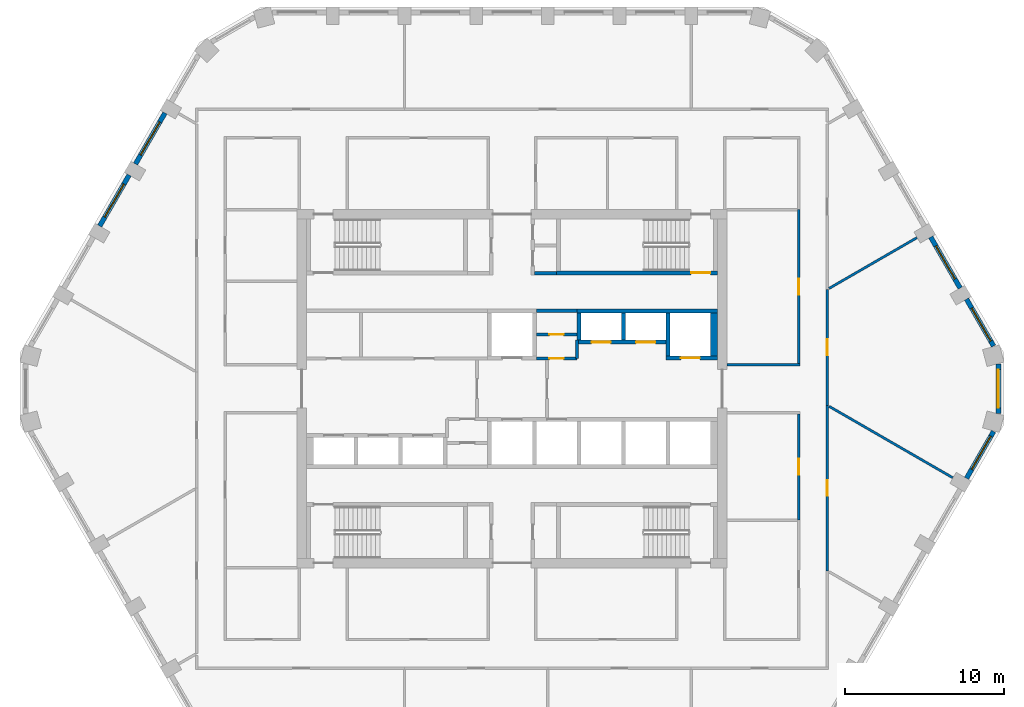
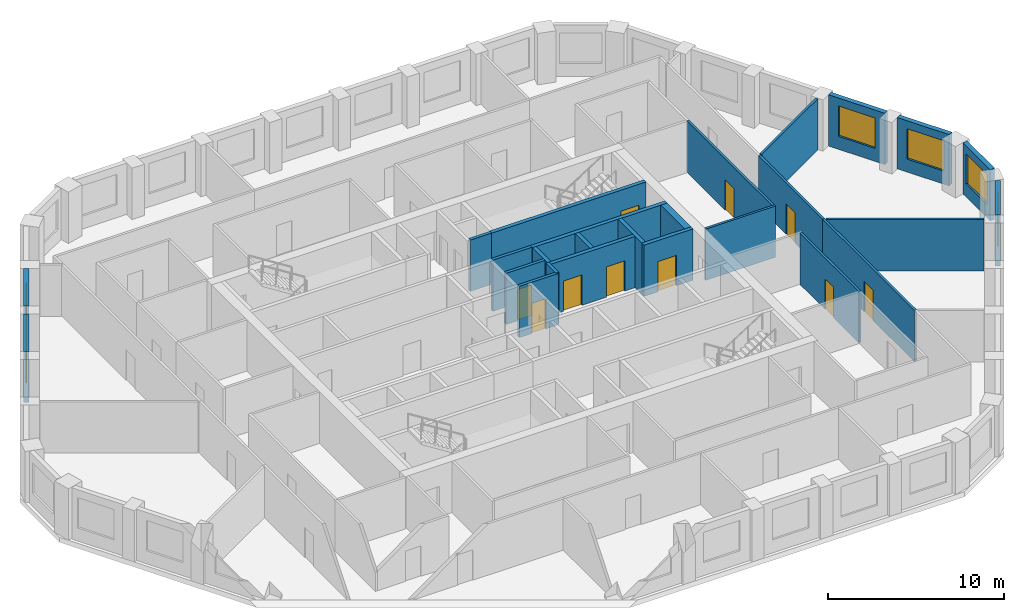
# One storey, part 5 of 9: 26 walls, 10 doors, 6 windows, 16 openings.
"""IFC4 building model written with IfcOpenShell, lengths in metres."""

from ifc_helpers import new_model, si_unit, direction, frame, frame_2d, origin, place, context, subcontext, project, spatial, polyline, rectangle, outline, extrude, material, layer, layer_set, type_object, element, fill, save


model = new_model("IFC4")

# Units and contexts
model_context = context("Model", 3, precision=1e-05, world=origin(), true_north=direction((0.0, 1.0)))
body_context = subcontext(model_context, "Body", "Model", "MODEL_VIEW")
ifc_project = project(units=[si_unit("LENGTHUNIT", "METRE"), si_unit("AREAUNIT", "SQUARE_METRE"), si_unit("VOLUMEUNIT", "CUBIC_METRE"), si_unit("PLANEANGLEUNIT", "RADIAN"), si_unit("MASSUNIT", "GRAM", prefix="KILO")], contexts=[model_context])

# Site, building, storey
site_placement = place(None, origin())
site = spatial("IfcSite", under=ifc_project, at=site_placement, CompositionType="ELEMENT")
building_placement = place(site_placement, origin())
building = spatial("IfcBuilding", under=site, at=building_placement, Name="Dhurran Vertical Campus", CompositionType="ELEMENT")
storey_placement = place(building_placement, frame((0.0, 0.0, 195.60009765625)))
storey = spatial("IfcBuildingStorey", under=building, at=storey_placement, Name="L48", CompositionType="ELEMENT", Elevation=195.60009765625)

# Wall, opening, window
ifc_material_1 = material(Name="Precast concrete C50/60", Category="concrete")
ifc_layer_1 = layer(ifc_material_1, 0.300048828125)
ifc_layer_set_1 = layer_set([ifc_layer_1], Name="Precast concrete C50/60")
wall_type_1 = type_object("IfcWallType", Name="Precast spandrel wall 300", PredefinedType="SOLIDWALL", material=ifc_layer_set_1)
wall_1_placement = place(storey_placement, frame((28.544189453125, -5.625244140625, 0.0), z_axis=(0.0, 0.0, 1.0), x_axis=(0.500012868213, 0.866017974191, 0.0)))
wall_1 = element("IfcWall", 1, at=wall_1_placement, inside=storey, type_object=wall_type_1, Name="EW1 L48.12", PredefinedType="SOLIDWALL", context=body_context, shape_type="SweptSolid", body=[
    extrude(rectangle(XDim=3.39599609375, YDim=0.300048828125, at=frame_2d((1.697998046875, 0.0))), origin(), (0.0, 0.0, 1.0), 3.5498046875),
])
opening_1_placement = place(wall_1_placement, frame((0.6494140625, 0.0, 0.89990234375)))
opening_1 = element("IfcOpeningElement", 2, at=opening_1_placement, cuts=wall_1, Name="Opening WT1", PredefinedType="OPENING", context=body_context, shape_type="SweptSolid", body=[
    extrude(rectangle(XDim=2.39990234375, YDim=2.10009765625, at=frame_2d((1.199951171875, 1.050048828125))), frame((0.0, 0.159912109375, 0.0), z_axis=(0.0, -1.0, 0.0), x_axis=(1.0, 0.0, 0.0)), (0.0, 0.0, 1.0), 0.320068359375),
])
ifc_material_2 = material(Name="Aluminium frame with solar-control glass", Category="aluminium")
window_type = type_object("IfcWindowType", Name="Punched window 2400 x 2100", PartitioningType="SINGLE_PANEL", PredefinedType="WINDOW", material=ifc_material_2)
window_1_placement = place(opening_1_placement, origin())
window_1 = element("IfcWindow", 3, at=window_1_placement, inside=storey, type_object=window_type, Name="WT1 L48.12", OverallHeight=2.10009765625, OverallWidth=2.39990234375, PartitioningType="SINGLE_PANEL", PredefinedType="WINDOW", context=body_context, shape_type="SweptSolid", body=[
    extrude(rectangle(XDim=2.39990234375, YDim=2.10009765625, at=frame_2d((1.199951171875, 1.050048828125))), frame((0.0, 0.030029296875, 0.0), z_axis=(0.0, -1.0, 0.0), x_axis=(1.0, 0.0, 0.0)), (0.0, 0.0, 1.0), 0.06005859375),
])
fill(opening_1, window_1)

wall_2_placement = place(storey_placement, frame((30.547119140625, -1.54638671875, 0.0), z_axis=(0.0, 0.0, 1.0), x_axis=(0.0, 1.0, 0.0)))
wall_2 = element("IfcWall", 4, at=wall_2_placement, inside=storey, type_object=wall_type_1, Name="EW1 L48.13", PredefinedType="SOLIDWALL", context=body_context, shape_type="SweptSolid", body=[
    extrude(rectangle(XDim=3.0927734375, YDim=0.300048828125, at=frame_2d((1.54638671875, 0.0))), origin(), (0.0, 0.0, 1.0), 3.5498046875),
])
opening_2_placement = place(wall_2_placement, frame((0.34619140625, 0.0, 0.89990234375)))
opening_2 = element("IfcOpeningElement", 5, at=opening_2_placement, cuts=wall_2, Name="Opening WT1", PredefinedType="OPENING", context=body_context, shape_type="SweptSolid", body=[
    extrude(rectangle(XDim=2.39990234375, YDim=2.10009765625, at=frame_2d((1.199951171875, 1.050048828125))), frame((0.0, 0.159912109375, 0.0), z_axis=(0.0, -1.0, 0.0), x_axis=(1.0, 0.0, 0.0)), (0.0, 0.0, 1.0), 0.320068359375),
])
window_2_placement = place(opening_2_placement, origin())
window_2 = element("IfcWindow", 6, at=window_2_placement, inside=storey, type_object=window_type, Name="WT1 L48.13", OverallHeight=2.10009765625, OverallWidth=2.39990234375, PartitioningType="SINGLE_PANEL", PredefinedType="WINDOW", context=body_context, shape_type="SweptSolid", body=[
    extrude(rectangle(XDim=2.39990234375, YDim=2.10009765625, at=frame_2d((1.199951171875, 1.050048828125))), frame((0.0, 0.030029296875, 0.0), z_axis=(0.0, -1.0, 0.0), x_axis=(1.0, 0.0, 0.0)), (0.0, 0.0, 1.0), 0.06005859375),
])
fill(opening_2, window_2)

wall_3_placement = place(storey_placement, frame((30.2421875, 2.684326171875, 0.0), z_axis=(0.0, 0.0, 1.0), x_axis=(-0.500012868213, 0.866017974191, 0.0)))
wall_3 = element("IfcWall", 7, at=wall_3_placement, inside=storey, type_object=wall_type_1, Name="EW1 L48.14", PredefinedType="SOLIDWALL", context=body_context, shape_type="SweptSolid", body=[
    extrude(rectangle(XDim=3.39599609375, YDim=0.300048828125, at=frame_2d((1.697998046875, 0.0))), origin(), (0.0, 0.0, 1.0), 3.5498046875),
])
opening_3_placement = place(wall_3_placement, frame((0.346435546875, 0.0, 0.89990234375)))
opening_3 = element("IfcOpeningElement", 8, at=opening_3_placement, cuts=wall_3, Name="Opening WT1", PredefinedType="OPENING", context=body_context, shape_type="SweptSolid", body=[
    extrude(rectangle(XDim=2.39990234375, YDim=2.10009765625, at=frame_2d((1.199951171875, 1.050048828125))), frame((0.0, 0.159912109375, 0.0), z_axis=(0.0, -1.0, 0.0), x_axis=(1.0, 0.0, 0.0)), (0.0, 0.0, 1.0), 0.320068359375),
])
window_3_placement = place(opening_3_placement, origin())
window_3 = element("IfcWindow", 9, at=window_3_placement, inside=storey, type_object=window_type, Name="WT1 L48.14", OverallHeight=2.10009765625, OverallWidth=2.39990234375, PartitioningType="SINGLE_PANEL", PredefinedType="WINDOW", context=body_context, shape_type="SweptSolid", body=[
    extrude(rectangle(XDim=2.39990234375, YDim=2.10009765625, at=frame_2d((1.199951171875, 1.050048828125))), frame((0.0, 0.030029296875, 0.0), z_axis=(0.0, -1.0, 0.0), x_axis=(1.0, 0.0, 0.0)), (0.0, 0.0, 1.0), 0.06005859375),
])
fill(opening_3, window_3)

wall_4_placement = place(storey_placement, frame((28.143798828125, 6.319091796875, 0.0), z_axis=(0.0, 0.0, 1.0), x_axis=(-0.500029062817, 0.866008623709, 0.0)))
wall_4 = element("IfcWall", 10, at=wall_4_placement, inside=storey, type_object=wall_type_1, Name="EW1 L48.15", PredefinedType="SOLIDWALL", context=body_context, shape_type="SweptSolid", body=[
    extrude(rectangle(XDim=3.698974609375, YDim=0.300048828125, at=frame_2d((1.849609375, 0.0))), origin(), (0.0, 0.0, 1.0), 3.5498046875),
])
opening_4_placement = place(wall_4_placement, frame((0.6494140625, 0.0, 0.89990234375)))
opening_4 = element("IfcOpeningElement", 11, at=opening_4_placement, cuts=wall_4, Name="Opening WT1", PredefinedType="OPENING", context=body_context, shape_type="SweptSolid", body=[
    extrude(rectangle(XDim=2.39990234375, YDim=2.10009765625, at=frame_2d((1.199951171875, 1.050048828125))), frame((0.0, 0.159912109375, 0.0), z_axis=(0.0, -1.0, 0.0), x_axis=(1.0, 0.0, 0.0)), (0.0, 0.0, 1.0), 0.320068359375),
])
window_4_placement = place(opening_4_placement, origin())
window_4 = element("IfcWindow", 12, at=window_4_placement, inside=storey, type_object=window_type, Name="WT1 L48.15", OverallHeight=2.10009765625, OverallWidth=2.39990234375, PartitioningType="SINGLE_PANEL", PredefinedType="WINDOW", context=body_context, shape_type="SweptSolid", body=[
    extrude(rectangle(XDim=2.39990234375, YDim=2.10009765625, at=frame_2d((1.199951171875, 1.050048828125))), frame((0.0, 0.030029296875, 0.0), z_axis=(0.0, -1.0, 0.0), x_axis=(1.0, 0.0, 0.0)), (0.0, 0.0, 1.0), 0.06005859375),
])
fill(opening_4, window_4)

wall_5_placement = place(storey_placement, frame((-21.794189453125, 17.316650390625, 0.0), z_axis=(0.0, 0.0, 1.0), x_axis=(-0.500029062817, -0.866008623709, 0.0)))
wall_5 = element("IfcWall", 13, at=wall_5_placement, inside=storey, type_object=wall_type_1, Name="EW1 L48.29", PredefinedType="SOLIDWALL", context=body_context, shape_type="SweptSolid", body=[
    extrude(rectangle(XDim=3.698974609375, YDim=0.300048828125, at=frame_2d((1.849609375, 0.0))), origin(), (0.0, 0.0, 1.0), 3.5498046875),
])
opening_5_placement = place(wall_5_placement, frame((0.6494140625, 0.0, 0.89990234375)))
opening_5 = element("IfcOpeningElement", 14, at=opening_5_placement, cuts=wall_5, Name="Opening WT1", PredefinedType="OPENING", context=body_context, shape_type="SweptSolid", body=[
    extrude(rectangle(XDim=2.39990234375, YDim=2.10009765625, at=frame_2d((1.199951171875, 1.050048828125))), frame((0.0, 0.159912109375, 0.0), z_axis=(0.0, -1.0, 0.0), x_axis=(1.0, 0.0, 0.0)), (0.0, 0.0, 1.0), 0.320068359375),
])
window_5_placement = place(opening_5_placement, origin())
window_5 = element("IfcWindow", 15, at=window_5_placement, inside=storey, type_object=window_type, Name="WT1 L48.29", OverallHeight=2.10009765625, OverallWidth=2.39990234375, PartitioningType="SINGLE_PANEL", PredefinedType="WINDOW", context=body_context, shape_type="SweptSolid", body=[
    extrude(rectangle(XDim=2.39990234375, YDim=2.10009765625, at=frame_2d((1.199951171875, 1.050048828125))), frame((0.0, 0.030029296875, 0.0), z_axis=(0.0, -1.0, 0.0), x_axis=(1.0, 0.0, 0.0)), (0.0, 0.0, 1.0), 0.06005859375),
])
fill(opening_5, window_5)

wall_6_placement = place(storey_placement, frame((-24.044189453125, 13.41943359375, 0.0), z_axis=(0.0, 0.0, 1.0), x_axis=(-0.500029062817, -0.866008623709, 0.0)))
wall_6 = element("IfcWall", 16, at=wall_6_placement, inside=storey, type_object=wall_type_1, Name="EW1 L48.30", PredefinedType="SOLIDWALL", context=body_context, shape_type="SweptSolid", body=[
    extrude(rectangle(XDim=3.698974609375, YDim=0.300048828125, at=frame_2d((1.849609375, 0.0))), origin(), (0.0, 0.0, 1.0), 3.5498046875),
])
opening_6_placement = place(wall_6_placement, frame((0.6494140625, 0.0, 0.89990234375)))
opening_6 = element("IfcOpeningElement", 17, at=opening_6_placement, cuts=wall_6, Name="Opening WT1", PredefinedType="OPENING", context=body_context, shape_type="SweptSolid", body=[
    extrude(rectangle(XDim=2.39990234375, YDim=2.10009765625, at=frame_2d((1.199951171875, 1.050048828125))), frame((0.0, 0.159912109375, 0.0), z_axis=(0.0, -1.0, 0.0), x_axis=(1.0, 0.0, 0.0)), (0.0, 0.0, 1.0), 0.320068359375),
])
window_6_placement = place(opening_6_placement, origin())
window_6 = element("IfcWindow", 18, at=window_6_placement, inside=storey, type_object=window_type, Name="WT1 L48.30", OverallHeight=2.10009765625, OverallWidth=2.39990234375, PartitioningType="SINGLE_PANEL", PredefinedType="WINDOW", context=body_context, shape_type="SweptSolid", body=[
    extrude(rectangle(XDim=2.39990234375, YDim=2.10009765625, at=frame_2d((1.199951171875, 1.050048828125))), frame((0.0, 0.030029296875, 0.0), z_axis=(0.0, -1.0, 0.0), x_axis=(1.0, 0.0, 0.0)), (0.0, 0.0, 1.0), 0.06005859375),
])
fill(opening_6, window_6)

# Wall
ifc_material_3 = material(Name="Fire-rated masonry blockwork", Category="masonry")
ifc_layer_2 = layer(ifc_material_3, 0.199951171875)
ifc_layer_set_2 = layer_set([ifc_layer_2], Name="Fire-rated masonry blockwork")
wall_type_2 = type_object("IfcWallType", Name="co-FIRE-PARTITION-200", PredefinedType="PARTITIONING", material=ifc_layer_set_2)
wall_7_placement = place(storey_placement, frame((1.39990234375, 7.25, 0.0), z_axis=(0.0, 0.0, 1.0), x_axis=(1.0, 0.0, 0.0)))
element("IfcWall", 19, at=wall_7_placement, inside=storey, type_object=wall_type_2, Name="Core partition sl-NE-S L48", PredefinedType="PARTITIONING", context=body_context, shape_type="SweptSolid", body=[
    extrude(rectangle(XDim=1.400146484375, YDim=0.199951171875, at=frame_2d((0.7001953125, 0.0))), origin(), (0.0, 0.0, 1.0), 3.5498046875),
])

# Wall, opening, door
wall_8_placement = place(storey_placement, frame((1.52490234375, 3.39990234375, 0.0), z_axis=(0.0, 0.0, 1.0), x_axis=(1.0, 0.0, 0.0)))
wall_8 = element("IfcWall", 20, at=wall_8_placement, inside=storey, type_object=wall_type_2, Name="Core partition fr-N1-c L48", PredefinedType="PARTITIONING", context=body_context, shape_type="SweptSolid", body=[
    extrude(rectangle(XDim=2.550048828125, YDim=0.199951171875, at=frame_2d((1.27490234375, 0.0))), origin(), (0.0, 0.0, 1.0), 3.5498046875),
])
opening_7_placement = place(wall_8_placement, frame((0.824951171875, 0.0, 0.0)))
opening_7 = element("IfcOpeningElement", 21, at=opening_7_placement, cuts=wall_8, Name="Opening T14-C8", PredefinedType="OPENING", context=body_context, shape_type="SweptSolid", body=[
    extrude(rectangle(XDim=0.89990234375, YDim=2.10009765625, at=frame_2d((0.449951171875, 1.050048828125))), frame((0.0, 0.10986328125, 0.0), z_axis=(0.0, -1.0, 0.0), x_axis=(1.0, 0.0, 0.0)), (0.0, 0.0, 1.0), 0.219970703125),
])
ifc_material_4 = material(Name="Fire-rated timber door set", Category="wood")
door_type_1 = type_object("IfcDoorType", Name="co-D-ROOM 900x2100", OperationType="SINGLE_SWING_LEFT", PredefinedType="DOOR", material=ifc_material_4)
door_1_placement = place(opening_7_placement, origin())
door_1 = element("IfcDoor", 22, at=door_1_placement, inside=storey, type_object=door_type_1, Name="Communications room door L48", OperationType="SINGLE_SWING_LEFT", OverallHeight=2.10009765625, OverallWidth=0.89990234375, PredefinedType="DOOR", context=body_context, shape_type="SweptSolid", body=[
    extrude(rectangle(XDim=0.89990234375, YDim=2.10009765625, at=frame_2d((0.449951171875, 1.050048828125))), frame((0.0, 0.02490234375, 0.0), z_axis=(0.0, -1.0, 0.0), x_axis=(1.0, 0.0, 0.0)), (0.0, 0.0, 1.0), 0.050048828125),
])
fill(opening_7, door_1)

wall_9_placement = place(storey_placement, frame((1.52490234375, 1.89990234375, 0.0), z_axis=(0.0, 0.0, 1.0), x_axis=(1.0, 0.0, 0.0)))
wall_9 = element("IfcWall", 23, at=wall_9_placement, inside=storey, type_object=wall_type_2, Name="Core partition fr-N1-f L48", PredefinedType="PARTITIONING", context=body_context, shape_type="SweptSolid", body=[
    extrude(rectangle(XDim=2.550048828125, YDim=0.199951171875, at=frame_2d((1.27490234375, 0.0))), origin(), (0.0, 0.0, 1.0), 3.5498046875),
])
opening_8_placement = place(wall_9_placement, frame((0.824951171875, 0.0, 0.0)))
opening_8 = element("IfcOpeningElement", 24, at=opening_8_placement, cuts=wall_9, Name="Opening T14-C9", PredefinedType="OPENING", context=body_context, shape_type="SweptSolid", body=[
    extrude(rectangle(XDim=0.89990234375, YDim=2.10009765625, at=frame_2d((0.449951171875, 1.050048828125))), frame((0.0, 0.10986328125, 0.0), z_axis=(0.0, -1.0, 0.0), x_axis=(1.0, 0.0, 0.0)), (0.0, 0.0, 1.0), 0.219970703125),
])
door_2_placement = place(opening_8_placement, origin())
door_2 = element("IfcDoor", 25, at=door_2_placement, inside=storey, type_object=door_type_1, Name="Server room door L48", OperationType="SINGLE_SWING_LEFT", OverallHeight=2.10009765625, OverallWidth=0.89990234375, PredefinedType="DOOR", context=body_context, shape_type="SweptSolid", body=[
    extrude(rectangle(XDim=0.89990234375, YDim=2.10009765625, at=frame_2d((0.449951171875, 1.050048828125))), frame((0.0, 0.02490234375, 0.0), z_axis=(0.0, -1.0, 0.0), x_axis=(1.0, 0.0, 0.0)), (0.0, 0.0, 1.0), 0.050048828125),
])
fill(opening_8, door_2)

# Walls
wall_10_placement = place(storey_placement, frame((1.52490234375, 4.89990234375, 0.0), z_axis=(0.0, 0.0, 1.0), x_axis=(1.0, 0.0, 0.0)))
element("IfcWall", 26, at=wall_10_placement, inside=storey, type_object=wall_type_2, Name="Core partition fr-N1-b L48", PredefinedType="PARTITIONING", context=body_context, shape_type="SweptSolid", body=[
    extrude(rectangle(XDim=2.550048828125, YDim=0.199951171875, at=frame_2d((1.27490234375, 0.0))), origin(), (0.0, 0.0, 1.0), 3.5498046875),
])
wall_11_placement = place(storey_placement, frame((4.074951171875, 1.89990234375, 0.0), z_axis=(0.0, 0.0, 1.0), x_axis=(0.0, 1.0, 0.0)))
element("IfcWall", 27, at=wall_11_placement, inside=storey, type_object=wall_type_2, Name="Core partition fr-N1-n1 L48", PredefinedType="PARTITIONING", context=body_context, shape_type="SweptSolid", body=[
    extrude(rectangle(XDim=1.150146484375, YDim=0.199951171875, at=frame_2d((0.5751953125, 0.0))), origin(), (0.0, 0.0, 1.0), 3.5498046875),
])

# Wall, openings, doors
ifc_material_5 = material(Name="Concrete C50/60", Category="concrete")
ifc_layer_3 = layer(ifc_material_5, 0.25)
ifc_layer_set_3 = layer_set([ifc_layer_3], Name="Concrete C50/60")
wall_type_3 = type_object("IfcWallType", Name="co-SHAFT-FRONT-250", PredefinedType="SHEAR", material=ifc_layer_set_3)
wall_12_placement = place(storey_placement, frame((4.074951171875, 2.925048828125, 0.0), z_axis=(0.0, 0.0, 1.0), x_axis=(1.0, 0.0, 0.0)))
wall_12 = element("IfcWall", 28, at=wall_12_placement, inside=storey, type_object=wall_type_3, Name="Lift landing wall N L48", PredefinedType="SHEAR", context=body_context, shape_type="SweptSolid", body=[
    extrude(rectangle(XDim=5.85009765625, YDim=0.25, at=frame_2d((2.925048828125, 0.0))), origin(), (0.0, 0.0, 1.0), 3.5498046875),
])
opening_9_placement = place(wall_12_placement, frame((0.925048828125, 0.0, 0.0)))
opening_9 = element("IfcOpeningElement", 29, at=opening_9_placement, cuts=wall_12, Name="Opening LD", PredefinedType="OPENING", context=body_context, shape_type="SweptSolid", body=[
    extrude(rectangle(XDim=1.199951171875, YDim=2.10009765625, at=frame_2d((0.60009765625, 1.050048828125))), frame((0.0, 0.135009765625, 0.0), z_axis=(0.0, -1.0, 0.0), x_axis=(1.0, 0.0, 0.0)), (0.0, 0.0, 1.0), 0.27001953125),
])
opening_10_placement = place(wall_12_placement, frame((3.72509765625, 0.0, 0.0)))
opening_10 = element("IfcOpeningElement", 30, at=opening_10_placement, cuts=wall_12, Name="Opening LD", PredefinedType="OPENING", context=body_context, shape_type="SweptSolid", body=[
    extrude(rectangle(XDim=1.199951171875, YDim=2.10009765625, at=frame_2d((0.60009765625, 1.050048828125))), frame((0.0, 0.135009765625, 0.0), z_axis=(0.0, -1.0, 0.0), x_axis=(1.0, 0.0, 0.0)), (0.0, 0.0, 1.0), 0.27001953125),
])
ifc_material_6 = material(Name="Stainless steel landing door", Category="steel")
door_type_2 = type_object("IfcDoorType", Name="co-D-LANDING 1200x2100", OperationType="DOUBLE_DOOR_SLIDING", PredefinedType="DOOR", material=ifc_material_6)
door_3_placement = place(opening_9_placement, origin())
door_3 = element("IfcDoor", 31, at=door_3_placement, inside=storey, type_object=door_type_2, Name="Landing door MR1 L48", OperationType="DOUBLE_DOOR_SLIDING", OverallHeight=2.10009765625, OverallWidth=1.199951171875, PredefinedType="DOOR", context=body_context, shape_type="SweptSolid", body=[
    extrude(rectangle(XDim=1.199951171875, YDim=2.10009765625, at=frame_2d((0.60009765625, 1.050048828125))), frame((0.0, 0.02490234375, 0.0), z_axis=(0.0, -1.0, 0.0), x_axis=(1.0, 0.0, 0.0)), (0.0, 0.0, 1.0), 0.050048828125),
])
fill(opening_9, door_3)
door_4_placement = place(opening_10_placement, origin())
door_4 = element("IfcDoor", 32, at=door_4_placement, inside=storey, type_object=door_type_2, Name="Landing door MR2 L48", OperationType="DOUBLE_DOOR_SLIDING", OverallHeight=2.10009765625, OverallWidth=1.199951171875, PredefinedType="DOOR", context=body_context, shape_type="SweptSolid", body=[
    extrude(rectangle(XDim=1.199951171875, YDim=2.10009765625, at=frame_2d((0.60009765625, 1.050048828125))), frame((0.0, 0.02490234375, 0.0), z_axis=(0.0, -1.0, 0.0), x_axis=(1.0, 0.0, 0.0)), (0.0, 0.0, 1.0), 0.050048828125),
])
fill(opening_10, door_4)

# Wall, opening, door
wall_13_placement = place(storey_placement, frame((9.675048828125, 1.925048828125, 0.0), z_axis=(0.0, 0.0, 1.0), x_axis=(1.0, 0.0, 0.0)))
wall_13 = element("IfcWall", 33, at=wall_13_placement, inside=storey, type_object=wall_type_3, Name="Lift landing wall N L48", PredefinedType="SHEAR", context=body_context, shape_type="SweptSolid", body=[
    extrude(rectangle(XDim=3.224853515625, YDim=0.25, at=frame_2d((1.6123046875, 0.0))), origin(), (0.0, 0.0, 1.0), 3.5498046875),
])
opening_11_placement = place(wall_13_placement, frame((0.925048828125, 0.0, 0.0)))
opening_11 = element("IfcOpeningElement", 34, at=opening_11_placement, cuts=wall_13, Name="Opening LD", PredefinedType="OPENING", context=body_context, shape_type="SweptSolid", body=[
    extrude(rectangle(XDim=1.199951171875, YDim=2.10009765625, at=frame_2d((0.60009765625, 1.050048828125))), frame((0.0, 0.135009765625, 0.0), z_axis=(0.0, -1.0, 0.0), x_axis=(1.0, 0.0, 0.0)), (0.0, 0.0, 1.0), 0.27001953125),
])
door_5_placement = place(opening_11_placement, origin())
door_5 = element("IfcDoor", 35, at=door_5_placement, inside=storey, type_object=door_type_2, Name="Landing door SV2 L48", OperationType="DOUBLE_DOOR_SLIDING", OverallHeight=2.10009765625, OverallWidth=1.199951171875, PredefinedType="DOOR", context=body_context, shape_type="SweptSolid", body=[
    extrude(rectangle(XDim=1.199951171875, YDim=2.10009765625, at=frame_2d((0.60009765625, 1.050048828125))), frame((0.0, 0.02490234375, 0.0), z_axis=(0.0, -1.0, 0.0), x_axis=(1.0, 0.0, 0.0)), (0.0, 0.0, 1.0), 0.050048828125),
])
fill(opening_11, door_5)

# Walls
ifc_material_7 = material(Name="Concrete C50/60", Category="concrete")
ifc_layer_4 = layer(ifc_material_7, 0.25)
ifc_layer_set_4 = layer_set([ifc_layer_4], Name="Concrete C50/60")
wall_type_4 = type_object("IfcWallType", Name="co-SHAFT-MASS-250", PredefinedType="SHEAR", material=ifc_layer_set_4)
wall_14_placement = place(storey_placement, origin())
element("IfcWall", 36, at=wall_14_placement, inside=storey, type_object=wall_type_4, Name="Lift shaft wall N L48 2", PredefinedType="SHEAR", context=body_context, shape_type="SweptSolid", body=[
    extrude(outline(polyline([(4.074951171875, 4.75), (12.89990234375, 4.75), (12.89990234375, 5.0), (4.074951171875, 5.0), (4.074951171875, 4.75)])), origin(), (0.0, 0.0, 1.0), 3.5498046875),
])
wall_15_placement = place(storey_placement, origin())
element("IfcWall", 37, at=wall_15_placement, inside=storey, type_object=wall_type_4, Name="Lift shaft wall N L48 5", PredefinedType="SHEAR", context=body_context, shape_type="SweptSolid", body=[
    extrude(outline(polyline([(9.675048828125, 2.050048828125), (9.925048828125, 2.050048828125), (9.925048828125, 4.75), (9.675048828125, 4.75), (9.675048828125, 2.050048828125)])), origin(), (0.0, 0.0, 1.0), 3.5498046875),
])
wall_16_placement = place(storey_placement, origin())
element("IfcWall", 38, at=wall_16_placement, inside=storey, type_object=wall_type_4, Name="Lift shaft wall N L48 6", PredefinedType="SHEAR", context=body_context, shape_type="SweptSolid", body=[
    extrude(outline(polyline([(12.47509765625, 2.050048828125), (12.89990234375, 2.050048828125), (12.89990234375, 4.75), (12.47509765625, 4.75), (12.47509765625, 2.050048828125)])), origin(), (0.0, 0.0, 1.0), 3.5498046875),
])
wall_17_placement = place(storey_placement, origin())
element("IfcWall", 39, at=wall_17_placement, inside=storey, type_object=wall_type_4, Name="Lift shaft wall N L48 7", PredefinedType="SHEAR", context=body_context, shape_type="SweptSolid", body=[
    extrude(outline(polyline([(4.074951171875, 3.050048828125), (4.324951171875, 3.050048828125), (4.324951171875, 4.75), (4.074951171875, 4.75), (4.074951171875, 3.050048828125)])), origin(), (0.0, 0.0, 1.0), 3.5498046875),
])
wall_18_placement = place(storey_placement, origin())
element("IfcWall", 40, at=wall_18_placement, inside=storey, type_object=wall_type_4, Name="Lift shaft wall N L48 8", PredefinedType="SHEAR", context=body_context, shape_type="SweptSolid", body=[
    extrude(outline(polyline([(6.875, 3.050048828125), (7.125, 3.050048828125), (7.125, 4.75), (6.875, 4.75), (6.875, 3.050048828125)])), origin(), (0.0, 0.0, 1.0), 3.5498046875),
])

# Wall, opening, door
ifc_material_8 = material(Name="Concrete C40/50", Category="concrete")
ifc_layer_5 = layer(ifc_material_8, 0.25)
ifc_layer_set_5 = layer_set([ifc_layer_5], Name="Concrete C40/50")
wall_type_5 = type_object("IfcWallType", Name="co-STAIR-WALL-250", PredefinedType="SHEAR", material=ifc_layer_set_5)
wall_19_placement = place(storey_placement, frame((2.800048828125, 7.27490234375, 0.0), z_axis=(0.0, 0.0, 1.0), x_axis=(1.0, 0.0, 0.0)))
wall_19 = element("IfcWall", 41, at=wall_19_placement, inside=storey, type_object=wall_type_5, Name="Stair ST2 enclosure wall L48", PredefinedType="SHEAR", context=body_context, shape_type="SweptSolid", body=[
    extrude(rectangle(XDim=10.099853515625, YDim=0.25, at=frame_2d((5.0498046875, 0.0))), origin(), (0.0, 0.0, 1.0), 3.5498046875),
])
opening_12_placement = place(wall_19_placement, frame((8.449951171875, 0.0, 0.0)))
opening_12 = element("IfcOpeningElement", 42, at=opening_12_placement, cuts=wall_19, Name="Opening SD2", PredefinedType="OPENING", context=body_context, shape_type="SweptSolid", body=[
    extrude(rectangle(XDim=1.199951171875, YDim=2.10009765625, at=frame_2d((0.60009765625, 1.050048828125))), frame((0.0, 0.135009765625, 0.0), z_axis=(0.0, -1.0, 0.0), x_axis=(1.0, 0.0, 0.0)), (0.0, 0.0, 1.0), 0.27001953125),
])
ifc_material_9 = material(Name="Fire-rated steel door set", Category="steel")
door_type_3 = type_object("IfcDoorType", Name="co-D-STAIR 1200x2100", OperationType="SINGLE_SWING_LEFT", PredefinedType="DOOR", material=ifc_material_9)
door_6_placement = place(opening_12_placement, origin())
door_6 = element("IfcDoor", 43, at=door_6_placement, inside=storey, type_object=door_type_3, Name="Stair ST2 door L48", OperationType="SINGLE_SWING_LEFT", OverallHeight=2.10009765625, OverallWidth=1.199951171875, PredefinedType="DOOR", context=body_context, shape_type="SweptSolid", body=[
    extrude(rectangle(XDim=1.199951171875, YDim=2.10009765625, at=frame_2d((0.60009765625, 1.050048828125))), frame((0.0, 0.02490234375, 0.0), z_axis=(0.0, -1.0, 0.0), x_axis=(1.0, 0.0, 0.0)), (0.0, 0.0, 1.0), 0.050048828125),
])
fill(opening_12, door_6)

# Wall
ifc_material_10 = material(Name="Gypsum board corridor wall on steel studs", Category="steel")
ifc_layer_6 = layer(ifc_material_10, 0.14990234375)
ifc_layer_set_6 = layer_set([ifc_layer_6], Name="Gypsum board corridor wall on steel studs")
wall_type_6 = type_object("IfcWallType", Name="fl-CW-150 corridor wall", PredefinedType="PARTITIONING", material=ifc_layer_set_6)
wall_20_placement = place(storey_placement, frame((18.074951171875, 1.5, 0.0), z_axis=(0.0, 0.0, 1.0), x_axis=(-1.0, 0.0, 0.0)))
element("IfcWall", 44, at=wall_20_placement, inside=storey, type_object=wall_type_6, Name="Partition 48-56", PredefinedType="PARTITIONING", context=body_context, shape_type="SweptSolid", body=[
    extrude(rectangle(XDim=4.574951171875, YDim=0.14990234375, at=frame_2d((2.28759765625, 0.0))), origin(), (0.0, 0.0, 1.0), 3.5498046875),
])

# Wall, opening, door
wall_21_placement = place(storey_placement, frame((18.0, -1.574951171875, 0.0), z_axis=(0.0, 0.0, 1.0), x_axis=(0.0, -1.0, 0.0)))
wall_21 = element("IfcWall", 45, at=wall_21_placement, inside=storey, type_object=wall_type_6, Name="Partition 48-59", PredefinedType="PARTITIONING", context=body_context, shape_type="SweptSolid", body=[
    extrude(rectangle(XDim=6.675048828125, YDim=0.14990234375, at=frame_2d((3.33740234375, 0.0))), origin(), (0.0, 0.0, 1.0), 3.5498046875),
])
opening_13_placement = place(wall_21_placement, frame((2.83740234375, 0.0, 0.0)))
opening_13 = element("IfcOpeningElement", 46, at=opening_13_placement, cuts=wall_21, Name="Opening T14.22", PredefinedType="OPENING", context=body_context, shape_type="SweptSolid", body=[
    extrude(rectangle(XDim=1.0, YDim=2.10009765625, at=frame_2d((0.5, 1.050048828125))), frame((0.0, 0.0849609375, 0.0), z_axis=(0.0, -1.0, 0.0), x_axis=(1.0, 0.0, 0.0)), (0.0, 0.0, 1.0), 0.169921875),
])
ifc_material_11 = material(Name="Solid-core timber door set, fire-rated", Category="wood")
door_type_4 = type_object("IfcDoorType", Name="fl-D-1000x2100", OperationType="SINGLE_SWING_LEFT", PredefinedType="DOOR", material=ifc_material_11)
door_7_placement = place(opening_13_placement, origin())
door_7 = element("IfcDoor", 47, at=door_7_placement, inside=storey, type_object=door_type_4, Name="Door 48.22", OperationType="SINGLE_SWING_RIGHT", OverallHeight=2.10009765625, OverallWidth=1.0, PredefinedType="DOOR", context=body_context, shape_type="SweptSolid", body=[
    extrude(rectangle(XDim=1.0, YDim=2.10009765625, at=frame_2d((0.5, 1.050048828125))), frame((0.0, 0.02490234375, 0.0), z_axis=(0.0, -1.0, 0.0), x_axis=(1.0, 0.0, 0.0)), (0.0, 0.0, 1.0), 0.050048828125),
])
fill(opening_13, door_7)

wall_22_placement = place(storey_placement, frame((18.0, 11.25, 0.0), z_axis=(0.0, 0.0, 1.0), x_axis=(0.0, -1.0, 0.0)))
wall_22 = element("IfcWall", 48, at=wall_22_placement, inside=storey, type_object=wall_type_6, Name="Partition 48-60", PredefinedType="PARTITIONING", context=body_context, shape_type="SweptSolid", body=[
    extrude(rectangle(XDim=9.675048828125, YDim=0.14990234375, at=frame_2d((4.83740234375, 0.0))), origin(), (0.0, 0.0, 1.0), 3.5498046875),
])
opening_14_placement = place(wall_22_placement, frame((4.33740234375, 0.0, 0.0)))
opening_14 = element("IfcOpeningElement", 49, at=opening_14_placement, cuts=wall_22, Name="Opening T14.23", PredefinedType="OPENING", context=body_context, shape_type="SweptSolid", body=[
    extrude(rectangle(XDim=1.0, YDim=2.10009765625, at=frame_2d((0.5, 1.050048828125))), frame((0.0, 0.0849609375, 0.0), z_axis=(0.0, -1.0, 0.0), x_axis=(1.0, 0.0, 0.0)), (0.0, 0.0, 1.0), 0.169921875),
])
door_8_placement = place(opening_14_placement, origin())
door_8 = element("IfcDoor", 50, at=door_8_placement, inside=storey, type_object=door_type_4, Name="Door 48.23", OperationType="SINGLE_SWING_LEFT", OverallHeight=2.10009765625, OverallWidth=1.0, PredefinedType="DOOR", context=body_context, shape_type="SweptSolid", body=[
    extrude(rectangle(XDim=1.0, YDim=2.10009765625, at=frame_2d((0.5, 1.050048828125))), frame((0.0, 0.02490234375, 0.0), z_axis=(0.0, -1.0, 0.0), x_axis=(1.0, 0.0, 0.0)), (0.0, 0.0, 1.0), 0.050048828125),
])
fill(opening_14, door_8)

wall_23_placement = place(storey_placement, frame((19.800048828125, -11.431884765625, 0.0), z_axis=(0.0, 0.0, 1.0), x_axis=(0.0, 1.0, 0.0)))
wall_23 = element("IfcWall", 51, at=wall_23_placement, inside=storey, type_object=wall_type_6, Name="Partition 48-63", PredefinedType="PARTITIONING", context=body_context, shape_type="SweptSolid", body=[
    extrude(rectangle(XDim=10.392822265625, YDim=0.14990234375, at=frame_2d((5.1962890625, 0.0))), origin(), (0.0, 0.0, 1.0), 3.5498046875),
])
opening_15_placement = place(wall_23_placement, frame((4.696533203125, 0.0, 0.0)))
opening_15 = element("IfcOpeningElement", 52, at=opening_15_placement, cuts=wall_23, Name="Opening T14.26", PredefinedType="OPENING", context=body_context, shape_type="SweptSolid", body=[
    extrude(rectangle(XDim=1.0, YDim=2.10009765625, at=frame_2d((0.5, 1.050048828125))), frame((0.0, 0.0849609375, 0.0), z_axis=(0.0, -1.0, 0.0), x_axis=(1.0, 0.0, 0.0)), (0.0, 0.0, 1.0), 0.169921875),
])
door_9_placement = place(opening_15_placement, origin())
door_9 = element("IfcDoor", 53, at=door_9_placement, inside=storey, type_object=door_type_4, Name="Door 48.26", OperationType="SINGLE_SWING_RIGHT", OverallHeight=2.10009765625, OverallWidth=1.0, PredefinedType="DOOR", context=body_context, shape_type="SweptSolid", body=[
    extrude(rectangle(XDim=1.0, YDim=2.10009765625, at=frame_2d((0.5, 1.050048828125))), frame((0.0, 0.02490234375, 0.0), z_axis=(0.0, -1.0, 0.0), x_axis=(1.0, 0.0, 0.0)), (0.0, 0.0, 1.0), 0.050048828125),
])
fill(opening_15, door_9)

wall_24_placement = place(storey_placement, frame((19.800048828125, -1.0390625, 0.0), z_axis=(0.0, 0.0, 1.0), x_axis=(0.0, 1.0, 0.0)))
wall_24 = element("IfcWall", 54, at=wall_24_placement, inside=storey, type_object=wall_type_6, Name="Partition 48-65", PredefinedType="PARTITIONING", context=body_context, shape_type="SweptSolid", body=[
    extrude(rectangle(XDim=7.274169921875, YDim=0.14990234375, at=frame_2d((3.63720703125, 0.0))), origin(), (0.0, 0.0, 1.0), 3.5498046875),
])
opening_16_placement = place(wall_24_placement, frame((3.136962890625, 0.0, 0.0)))
opening_16 = element("IfcOpeningElement", 55, at=opening_16_placement, cuts=wall_24, Name="Opening T14.27", PredefinedType="OPENING", context=body_context, shape_type="SweptSolid", body=[
    extrude(rectangle(XDim=1.0, YDim=2.10009765625, at=frame_2d((0.5, 1.050048828125))), frame((0.0, 0.0849609375, 0.0), z_axis=(0.0, -1.0, 0.0), x_axis=(1.0, 0.0, 0.0)), (0.0, 0.0, 1.0), 0.169921875),
])
door_10_placement = place(opening_16_placement, origin())
door_10 = element("IfcDoor", 56, at=door_10_placement, inside=storey, type_object=door_type_4, Name="Door 48.27", OperationType="SINGLE_SWING_RIGHT", OverallHeight=2.10009765625, OverallWidth=1.0, PredefinedType="DOOR", context=body_context, shape_type="SweptSolid", body=[
    extrude(rectangle(XDim=1.0, YDim=2.10009765625, at=frame_2d((0.5, 1.050048828125))), frame((0.0, 0.02490234375, 0.0), z_axis=(0.0, -1.0, 0.0), x_axis=(1.0, 0.0, 0.0)), (0.0, 0.0, 1.0), 0.050048828125),
])
fill(opening_16, door_10)

# Walls
ifc_material_12 = material(Name="Gypsum board partition on steel studs", Category="steel")
ifc_layer_7 = layer(ifc_material_12, 0.14990234375)
ifc_layer_set_7 = layer_set([ifc_layer_7], Name="Gypsum board partition on steel studs")
wall_type_7 = type_object("IfcWallType", Name="fl-PW-150 fixed partition", PredefinedType="PARTITIONING", material=ifc_layer_set_7)
wall_25_placement = place(storey_placement, frame((19.91259765625, -1.10400390625, 0.0), z_axis=(0.0, 0.0, 1.0), x_axis=(0.866007370051, -0.500031234042, 0.0)))
element("IfcWall", 57, at=wall_25_placement, inside=storey, type_object=wall_type_7, Name="Partition 48-66", PredefinedType="PARTITIONING", context=body_context, shape_type="SweptSolid", body=[
    extrude(rectangle(XDim=8.9658203125, YDim=0.14990234375, at=frame_2d((4.48291015625, 0.0))), origin(), (0.0, 0.0, 1.0), 3.5498046875),
])
wall_26_placement = place(storey_placement, frame((25.42724609375, 9.484130859375, 0.0), z_axis=(0.0, 0.0, 1.0), x_axis=(-0.866011921086, -0.500023351992, 0.0)))
element("IfcWall", 58, at=wall_26_placement, inside=storey, type_object=wall_type_7, Name="Partition 48-68", PredefinedType="PARTITIONING", context=body_context, shape_type="SweptSolid", body=[
    extrude(rectangle(XDim=6.367919921875, YDim=0.14990234375, at=frame_2d((3.18408203125, 0.0))), origin(), (0.0, 0.0, 1.0), 3.5498046875),
])

save(model, "model.ifc")
